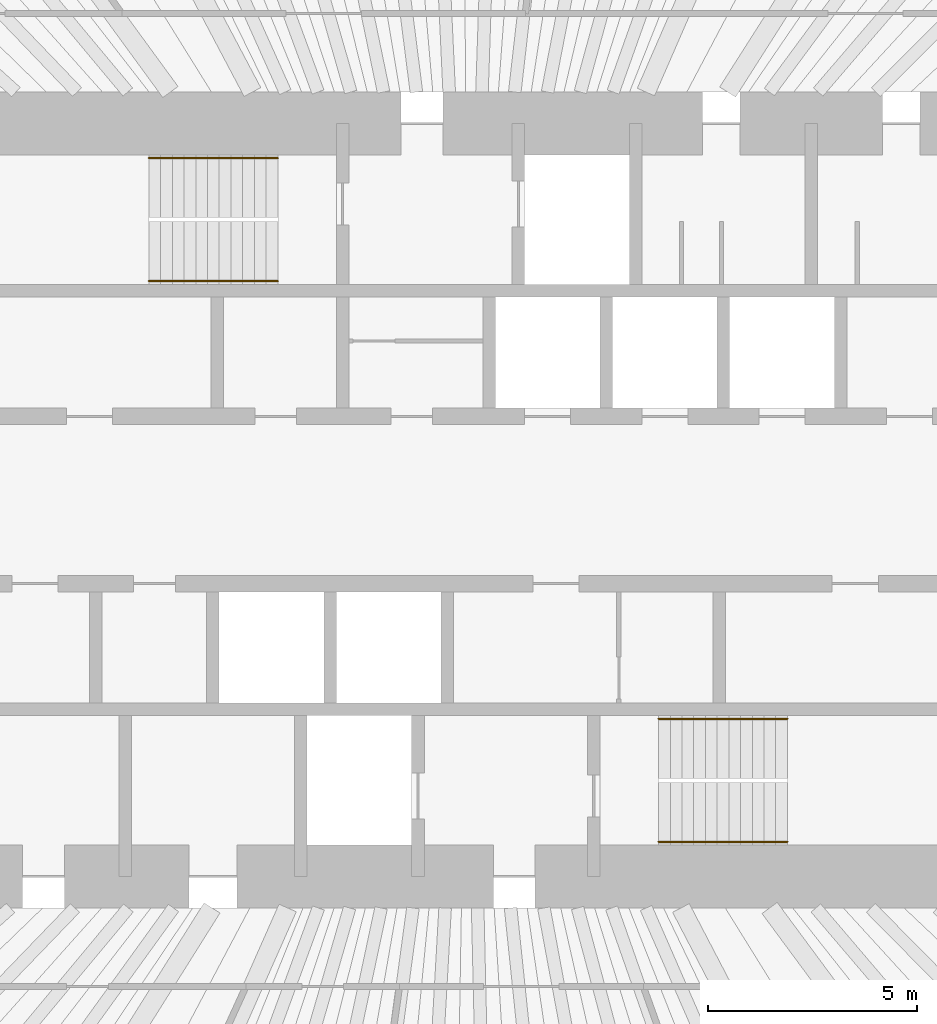
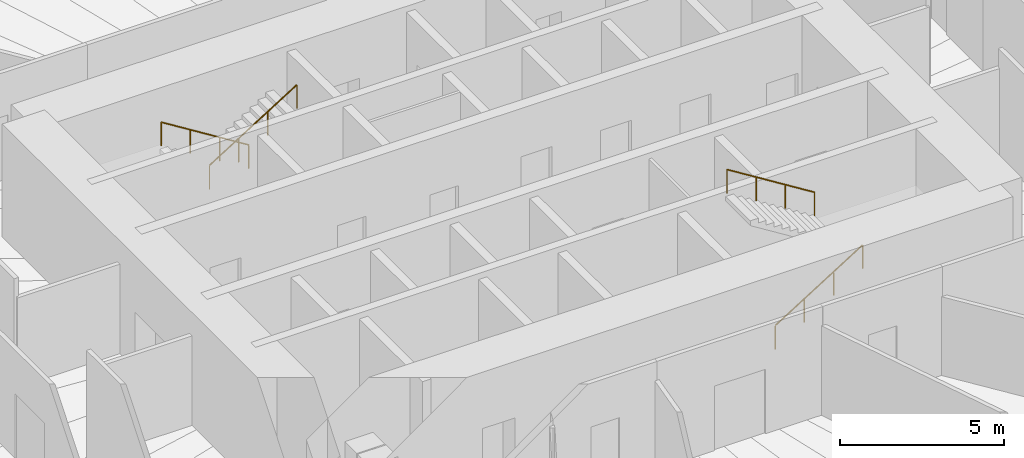
# One storey, part 13 of 13: 4 railings.
"""IFC4 building model written with IfcOpenShell, lengths in metres."""

from ifc_helpers import new_model, si_unit, direction, frame, origin, origin_2d, place, context, subcontext, project, spatial, circle, extrude, material, type_object, element, save


model = new_model("IFC4")

# Units and contexts
model_context = context("Model", 3, precision=1e-05, world=origin(), true_north=direction((0.0, 1.0)))
body_context = subcontext(model_context, "Body", "Model", "MODEL_VIEW")
ifc_project = project(units=[si_unit("LENGTHUNIT", "METRE"), si_unit("AREAUNIT", "SQUARE_METRE"), si_unit("VOLUMEUNIT", "CUBIC_METRE"), si_unit("PLANEANGLEUNIT", "RADIAN"), si_unit("MASSUNIT", "GRAM", prefix="KILO")], contexts=[model_context])

# Site, building, storey
site_placement = place(None, origin())
site = spatial("IfcSite", under=ifc_project, at=site_placement, CompositionType="ELEMENT")
building_placement = place(site_placement, origin())
building = spatial("IfcBuilding", under=site, at=building_placement, Name="Qingtian Harvest Tower", CompositionType="ELEMENT")
storey_placement = place(building_placement, frame((0.0, 0.0, 124.0)))
storey = spatial("IfcBuildingStorey", under=building, at=storey_placement, Name="L25", CompositionType="ELEMENT", Elevation=124.0)

# Railings
ifc_material = material(Name="Stainless steel handrail", Category="steel")
railing_type = type_object("IfcRailingType", Name="Handrail HR1", PredefinedType="HANDRAIL", material=ifc_material)
railing_1_placement = place(storey_placement, frame((-4.550048828125, 8.169921875, 0.175048828125)))
element("IfcRailing", 1, at=railing_1_placement, inside=storey, type_object=railing_type, Name="Handrail HR1 S1 flight 1", PredefinedType="HANDRAIL", context=body_context, shape_type="SweptSolid", body=[
    extrude(circle(Radius=0.02392578125, at=origin_2d()), frame((0.0, 0.0, 0.8759765625), z_axis=(-0.847979421464, 0.0, 0.530029150871), x_axis=(0.0, -1.0, 0.0)), (0.0, 0.0, 1.0), 3.632080078125),
    extrude(circle(Radius=0.02099609375, at=origin_2d()), origin(), (0.0, 0.0, 1.0), 0.851806640625),
    extrude(circle(Radius=0.02099609375, at=origin_2d()), frame((-1.026611328125, 0.0, 0.6416015625)), (0.0, 0.0, 1.0), 0.851806640625),
    extrude(circle(Radius=0.02099609375, at=origin_2d()), frame((-2.05322265625, 0.0, 1.283447265625)), (0.0, 0.0, 1.0), 0.851806640625),
    extrude(circle(Radius=0.02099609375, at=origin_2d()), frame((-3.079833984375, 0.0, 1.925048828125)), (0.0, 0.0, 1.0), 0.851806640625),
])
for number, where, name in (
    (2, (-7.6298828125, 5.22998046875, 2.27490234375), "Handrail HR1 S1 flight 2"),
    (3, (4.550048828125, -8.169921875, 0.175048828125), "Handrail HR1 S2 flight 1"),
):
    element("IfcRailing", number, at=place(storey_placement, frame(where)), inside=storey, type_object=railing_type, Name=name, PredefinedType="HANDRAIL", context=body_context, shape_type="SweptSolid", body=[
        extrude(circle(Radius=0.02392578125, at=origin_2d()), frame((0.0, 0.0, 0.8759765625), z_axis=(0.847979421464, 0.0, 0.530029150871), x_axis=(0.0, 1.0, 0.0)), (0.0, 0.0, 1.0), 3.632080078125),
        extrude(circle(Radius=0.02099609375, at=origin_2d()), origin(), (0.0, 0.0, 1.0), 0.851806640625),
        extrude(circle(Radius=0.02099609375, at=origin_2d()), frame((1.026611328125, 0.0, 0.6416015625)), (0.0, 0.0, 1.0), 0.851806640625),
        extrude(circle(Radius=0.02099609375, at=origin_2d()), frame((2.05322265625, 0.0, 1.283447265625)), (0.0, 0.0, 1.0), 0.851806640625),
        extrude(circle(Radius=0.02099609375, at=origin_2d()), frame((3.079833984375, 0.0, 1.925048828125)), (0.0, 0.0, 1.0), 0.851806640625),
    ])
railing_2_placement = place(storey_placement, frame((7.6298828125, -5.22998046875, 2.27490234375)))
element("IfcRailing", 4, at=railing_2_placement, inside=storey, type_object=railing_type, Name="Handrail HR1 S2 flight 2", PredefinedType="HANDRAIL", context=body_context, shape_type="SweptSolid", body=[
    extrude(circle(Radius=0.02392578125, at=origin_2d()), frame((0.0, 0.0, 0.8759765625), z_axis=(-0.847979421464, 0.0, 0.530029150871), x_axis=(0.0, -1.0, 0.0)), (0.0, 0.0, 1.0), 3.632080078125),
    extrude(circle(Radius=0.02099609375, at=origin_2d()), origin(), (0.0, 0.0, 1.0), 0.851806640625),
    extrude(circle(Radius=0.02099609375, at=origin_2d()), frame((-1.026611328125, 0.0, 0.6416015625)), (0.0, 0.0, 1.0), 0.851806640625),
    extrude(circle(Radius=0.02099609375, at=origin_2d()), frame((-2.05322265625, 0.0, 1.283447265625)), (0.0, 0.0, 1.0), 0.851806640625),
    extrude(circle(Radius=0.02099609375, at=origin_2d()), frame((-3.079833984375, 0.0, 1.925048828125)), (0.0, 0.0, 1.0), 0.851806640625),
])

save(model, "model.ifc")
